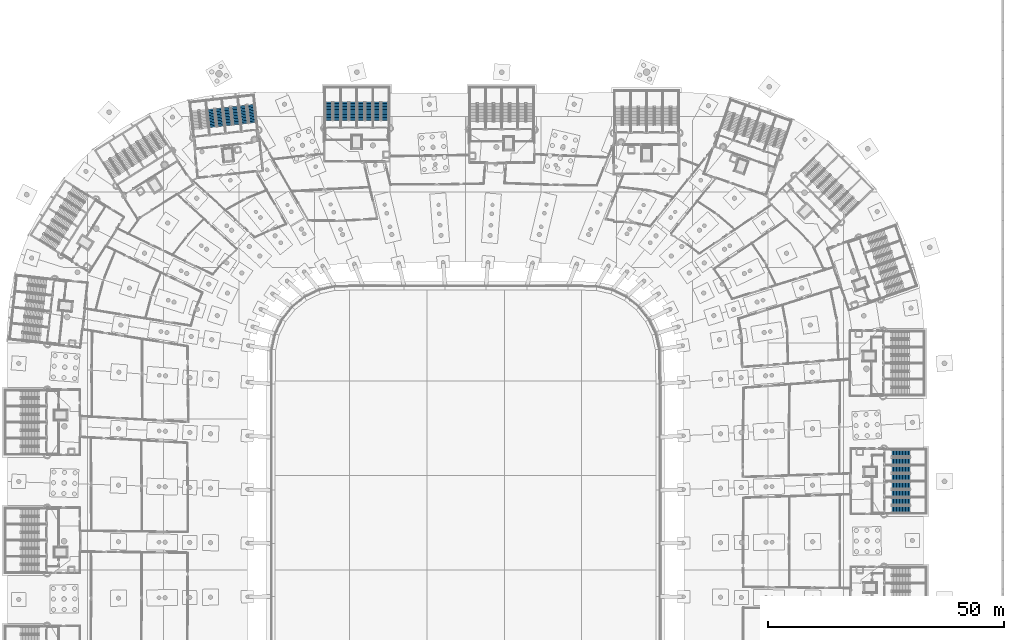
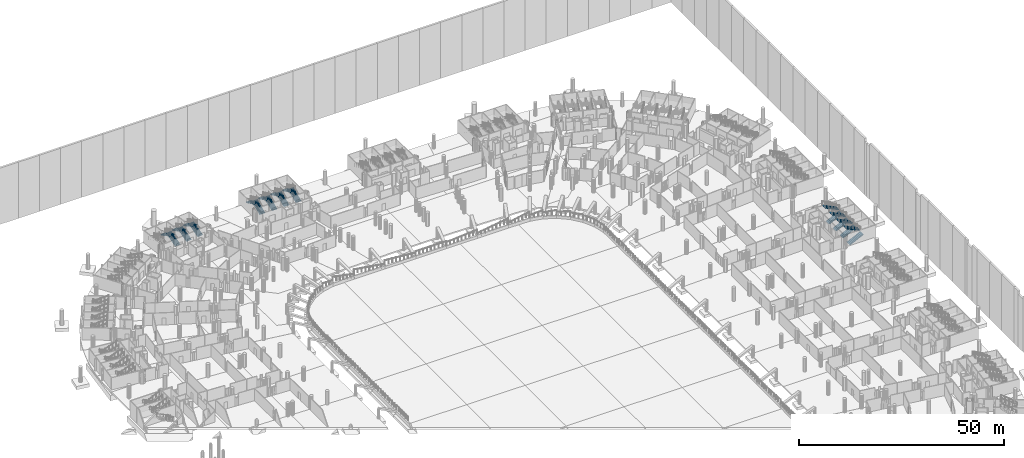
# One storey, part 105 of 142: 22 stair flights, 11 elements without a shape of their own.
"""IFC4 building model written with IfcOpenShell, lengths in metres."""

from ifc_helpers import new_model, si_unit, direction, frame, origin, place, context, subcontext, project, spatial, polyline, outline, extrude, material, type_object, element, aggregate, save


model = new_model("IFC4")

# Units and contexts
model_context = context("Model", 3, precision=1e-05, world=origin(), true_north=direction((0.0, 1.0)))
body_context = subcontext(model_context, "Body", "Model", "MODEL_VIEW")
ifc_project = project(units=[si_unit("LENGTHUNIT", "METRE"), si_unit("AREAUNIT", "SQUARE_METRE"), si_unit("VOLUMEUNIT", "CUBIC_METRE"), si_unit("PLANEANGLEUNIT", "RADIAN"), si_unit("MASSUNIT", "GRAM", prefix="KILO")], contexts=[model_context])

# Site, building, storey
site_placement = place(None, origin())
site = spatial("IfcSite", under=ifc_project, at=site_placement, CompositionType="ELEMENT")
building_placement = place(site_placement, origin())
building = spatial("IfcBuilding", under=site, at=building_placement, Name="Meseta Stadium", CompositionType="ELEMENT")
storey_placement = place(building_placement, frame((0.0, 0.0, -4.0)))
storey = spatial("IfcBuildingStorey", under=building, at=storey_placement, Name="B1", CompositionType="ELEMENT", Elevation=-4.0)

# Stair, stair flights
ifc_material_1 = material(Name="Concrete C40/50", Category="concrete")
stair_type = type_object("IfcStairType", Name="Exit stair 2 flights 154 mm risers", PredefinedType="HALF_TURN_STAIR", material=ifc_material_1)
stair_1_placement = place(storey_placement, origin())
stair_1 = element("IfcStair", 1, at=stair_1_placement, inside=storey, type_object=stair_type, Name="ST13 B1", PredefinedType="HALF_TURN_STAIR")
ifc_material_2 = material(Name="Concrete C40/50", Category="concrete")
stair_flight_type = type_object("IfcStairFlightType", Name="Exit stair flight 154 mm risers, 2 per storey", PredefinedType="STRAIGHT", material=ifc_material_2)
stair_flight_1_placement = place(storey_placement, frame((90.300048828125, 12.800048828125, 0.0), z_axis=(0.0, 0.0, 1.0), x_axis=(1.0, 0.0, 0.0)))
stair_flight_1 = element("IfcStairFlight", 2, at=stair_flight_1_placement, type_object=stair_flight_type, Name="ST13 B1 flight 1", NumberOfRisers=13, NumberOfTreads=12, PredefinedType="STRAIGHT", RiserHeight=0.153846154, TreadLength=0.32, context=body_context, shape_type="SweptSolid", body=[
    extrude(outline(polyline([(0.0, 0.0), (0.0, 0.15380859375), (0.320068359375, 0.15380859375), (0.320068359375, 0.3076171875), (0.639892578125, 0.3076171875), (0.639892578125, 0.46142578125), (0.9599609375, 0.46142578125), (0.9599609375, 0.615478515625), (1.280029296875, 0.615478515625), (1.280029296875, 0.769287109375), (1.60009765625, 0.769287109375), (1.60009765625, 0.923095703125), (1.919921875, 0.923095703125), (1.919921875, 1.076904296875), (2.239990234375, 1.076904296875), (2.239990234375, 1.230712890625), (2.56005859375, 1.230712890625), (2.56005859375, 1.384521484375), (2.8798828125, 1.384521484375), (2.8798828125, 1.53857421875), (3.199951171875, 1.53857421875), (3.199951171875, 1.6923828125), (3.52001953125, 1.6923828125), (3.52001953125, 1.84619140625), (3.840087890625, 1.84619140625), (3.840087890625, 1.679931640625), (0.345947265625, 0.0), (0.0, 0.0)])), frame((0.0, 0.75, 0.0), z_axis=(0.0, -1.0, 0.0), x_axis=(1.0, 0.0, 0.0)), (0.0, 0.0, 1.0), 1.5),
])
stair_flight_2_placement = place(storey_placement, frame((94.139892578125, 14.5, 2.0), z_axis=(0.0, 0.0, 1.0), x_axis=(-1.0, 0.0, 0.0)))
stair_flight_2 = element("IfcStairFlight", 3, at=stair_flight_2_placement, type_object=stair_flight_type, Name="ST13 B1 flight 2", NumberOfRisers=13, NumberOfTreads=12, PredefinedType="STRAIGHT", RiserHeight=0.153846154, TreadLength=0.32, context=body_context, shape_type="SweptSolid", body=[
    extrude(outline(polyline([(0.0, 0.0), (0.0, 0.15380859375), (0.320068359375, 0.15380859375), (0.320068359375, 0.3076171875), (0.639892578125, 0.3076171875), (0.639892578125, 0.46142578125), (0.9599609375, 0.46142578125), (0.9599609375, 0.615478515625), (1.280029296875, 0.615478515625), (1.280029296875, 0.769287109375), (1.60009765625, 0.769287109375), (1.60009765625, 0.923095703125), (1.919921875, 0.923095703125), (1.919921875, 1.076904296875), (2.239990234375, 1.076904296875), (2.239990234375, 1.230712890625), (2.56005859375, 1.230712890625), (2.56005859375, 1.384521484375), (2.8798828125, 1.384521484375), (2.8798828125, 1.53857421875), (3.199951171875, 1.53857421875), (3.199951171875, 1.6923828125), (3.52001953125, 1.6923828125), (3.52001953125, 1.84619140625), (3.840087890625, 1.84619140625), (3.840087890625, 1.679931640625), (0.345947265625, 0.0), (0.0, 0.0)])), frame((0.0, 0.75, 0.0), z_axis=(0.0, -1.0, 0.0), x_axis=(1.0, 0.0, 0.0)), (0.0, 0.0, 1.0), 1.5),
])
aggregate(stair_1, [stair_flight_1, stair_flight_2])

stair_2_placement = place(storey_placement, origin())
stair_2 = element("IfcStair", 4, at=stair_2_placement, inside=storey, type_object=stair_type, Name="ST14 B1", PredefinedType="HALF_TURN_STAIR")
stair_flight_3_placement = place(storey_placement, frame((90.300048828125, 16.199951171875, 0.0), z_axis=(0.0, 0.0, 1.0), x_axis=(1.0, 0.0, 0.0)))
stair_flight_3 = element("IfcStairFlight", 5, at=stair_flight_3_placement, type_object=stair_flight_type, Name="ST14 B1 flight 1", NumberOfRisers=13, NumberOfTreads=12, PredefinedType="STRAIGHT", RiserHeight=0.153846154, TreadLength=0.32, context=body_context, shape_type="SweptSolid", body=[
    extrude(outline(polyline([(0.0, 0.0), (0.0, 0.15380859375), (0.320068359375, 0.15380859375), (0.320068359375, 0.3076171875), (0.639892578125, 0.3076171875), (0.639892578125, 0.46142578125), (0.9599609375, 0.46142578125), (0.9599609375, 0.615478515625), (1.280029296875, 0.615478515625), (1.280029296875, 0.769287109375), (1.60009765625, 0.769287109375), (1.60009765625, 0.923095703125), (1.919921875, 0.923095703125), (1.919921875, 1.076904296875), (2.239990234375, 1.076904296875), (2.239990234375, 1.230712890625), (2.56005859375, 1.230712890625), (2.56005859375, 1.384521484375), (2.8798828125, 1.384521484375), (2.8798828125, 1.53857421875), (3.199951171875, 1.53857421875), (3.199951171875, 1.6923828125), (3.52001953125, 1.6923828125), (3.52001953125, 1.84619140625), (3.840087890625, 1.84619140625), (3.840087890625, 1.679931640625), (0.345947265625, 0.0), (0.0, 0.0)])), frame((0.0, 0.75, 0.0), z_axis=(0.0, -1.0, 0.0), x_axis=(1.0, 0.0, 0.0)), (0.0, 0.0, 1.0), 1.5),
])
stair_flight_4_placement = place(storey_placement, frame((94.139892578125, 17.89990234375, 2.0), z_axis=(0.0, 0.0, 1.0), x_axis=(-1.0, 0.0, 0.0)))
stair_flight_4 = element("IfcStairFlight", 6, at=stair_flight_4_placement, type_object=stair_flight_type, Name="ST14 B1 flight 2", NumberOfRisers=13, NumberOfTreads=12, PredefinedType="STRAIGHT", RiserHeight=0.153846154, TreadLength=0.32, context=body_context, shape_type="SweptSolid", body=[
    extrude(outline(polyline([(0.0, 0.0), (0.0, 0.15380859375), (0.320068359375, 0.15380859375), (0.320068359375, 0.3076171875), (0.639892578125, 0.3076171875), (0.639892578125, 0.46142578125), (0.9599609375, 0.46142578125), (0.9599609375, 0.615478515625), (1.280029296875, 0.615478515625), (1.280029296875, 0.769287109375), (1.60009765625, 0.769287109375), (1.60009765625, 0.923095703125), (1.919921875, 0.923095703125), (1.919921875, 1.076904296875), (2.239990234375, 1.076904296875), (2.239990234375, 1.230712890625), (2.56005859375, 1.230712890625), (2.56005859375, 1.384521484375), (2.8798828125, 1.384521484375), (2.8798828125, 1.53857421875), (3.199951171875, 1.53857421875), (3.199951171875, 1.6923828125), (3.52001953125, 1.6923828125), (3.52001953125, 1.84619140625), (3.840087890625, 1.84619140625), (3.840087890625, 1.679931640625), (0.345947265625, 0.0), (0.0, 0.0)])), frame((0.0, 0.75, 0.0), z_axis=(0.0, -1.0, 0.0), x_axis=(1.0, 0.0, 0.0)), (0.0, 0.0, 1.0), 1.5),
])
aggregate(stair_2, [stair_flight_3, stair_flight_4])

stair_3_placement = place(storey_placement, origin())
stair_3 = element("IfcStair", 7, at=stair_3_placement, inside=storey, type_object=stair_type, Name="ST15 B1", PredefinedType="HALF_TURN_STAIR")
stair_flight_5_placement = place(storey_placement, frame((90.300048828125, 19.60009765625, 0.0), z_axis=(0.0, 0.0, 1.0), x_axis=(1.0, 0.0, 0.0)))
stair_flight_5 = element("IfcStairFlight", 8, at=stair_flight_5_placement, type_object=stair_flight_type, Name="ST15 B1 flight 1", NumberOfRisers=13, NumberOfTreads=12, PredefinedType="STRAIGHT", RiserHeight=0.153846154, TreadLength=0.32, context=body_context, shape_type="SweptSolid", body=[
    extrude(outline(polyline([(0.0, 0.0), (0.0, 0.15380859375), (0.320068359375, 0.15380859375), (0.320068359375, 0.3076171875), (0.639892578125, 0.3076171875), (0.639892578125, 0.46142578125), (0.9599609375, 0.46142578125), (0.9599609375, 0.615478515625), (1.280029296875, 0.615478515625), (1.280029296875, 0.769287109375), (1.60009765625, 0.769287109375), (1.60009765625, 0.923095703125), (1.919921875, 0.923095703125), (1.919921875, 1.076904296875), (2.239990234375, 1.076904296875), (2.239990234375, 1.230712890625), (2.56005859375, 1.230712890625), (2.56005859375, 1.384521484375), (2.8798828125, 1.384521484375), (2.8798828125, 1.53857421875), (3.199951171875, 1.53857421875), (3.199951171875, 1.6923828125), (3.52001953125, 1.6923828125), (3.52001953125, 1.84619140625), (3.840087890625, 1.84619140625), (3.840087890625, 1.679931640625), (0.345947265625, 0.0), (0.0, 0.0)])), frame((0.0, 0.75, 0.0), z_axis=(0.0, -1.0, 0.0), x_axis=(1.0, 0.0, 0.0)), (0.0, 0.0, 1.0), 1.5),
])
stair_flight_6_placement = place(storey_placement, frame((94.139892578125, 21.300048828125, 2.0), z_axis=(0.0, 0.0, 1.0), x_axis=(-1.0, 0.0, 0.0)))
stair_flight_6 = element("IfcStairFlight", 9, at=stair_flight_6_placement, type_object=stair_flight_type, Name="ST15 B1 flight 2", NumberOfRisers=13, NumberOfTreads=12, PredefinedType="STRAIGHT", RiserHeight=0.153846154, TreadLength=0.32, context=body_context, shape_type="SweptSolid", body=[
    extrude(outline(polyline([(0.0, 0.0), (0.0, 0.15380859375), (0.320068359375, 0.15380859375), (0.320068359375, 0.3076171875), (0.639892578125, 0.3076171875), (0.639892578125, 0.46142578125), (0.9599609375, 0.46142578125), (0.9599609375, 0.615478515625), (1.280029296875, 0.615478515625), (1.280029296875, 0.769287109375), (1.60009765625, 0.769287109375), (1.60009765625, 0.923095703125), (1.919921875, 0.923095703125), (1.919921875, 1.076904296875), (2.239990234375, 1.076904296875), (2.239990234375, 1.230712890625), (2.56005859375, 1.230712890625), (2.56005859375, 1.384521484375), (2.8798828125, 1.384521484375), (2.8798828125, 1.53857421875), (3.199951171875, 1.53857421875), (3.199951171875, 1.6923828125), (3.52001953125, 1.6923828125), (3.52001953125, 1.84619140625), (3.840087890625, 1.84619140625), (3.840087890625, 1.679931640625), (0.345947265625, 0.0), (0.0, 0.0)])), frame((0.0, 0.75, 0.0), z_axis=(0.0, -1.0, 0.0), x_axis=(1.0, 0.0, 0.0)), (0.0, 0.0, 1.0), 1.5),
])
aggregate(stair_3, [stair_flight_5, stair_flight_6])

stair_4_placement = place(storey_placement, origin())
stair_4 = element("IfcStair", 10, at=stair_4_placement, inside=storey, type_object=stair_type, Name="ST16 B1", PredefinedType="HALF_TURN_STAIR")
stair_flight_7_placement = place(storey_placement, frame((90.300048828125, 23.0, 0.0), z_axis=(0.0, 0.0, 1.0), x_axis=(1.0, 0.0, 0.0)))
stair_flight_7 = element("IfcStairFlight", 11, at=stair_flight_7_placement, type_object=stair_flight_type, Name="ST16 B1 flight 1", NumberOfRisers=13, NumberOfTreads=12, PredefinedType="STRAIGHT", RiserHeight=0.153846154, TreadLength=0.32, context=body_context, shape_type="SweptSolid", body=[
    extrude(outline(polyline([(0.0, 0.0), (0.0, 0.15380859375), (0.320068359375, 0.15380859375), (0.320068359375, 0.3076171875), (0.639892578125, 0.3076171875), (0.639892578125, 0.46142578125), (0.9599609375, 0.46142578125), (0.9599609375, 0.615478515625), (1.280029296875, 0.615478515625), (1.280029296875, 0.769287109375), (1.60009765625, 0.769287109375), (1.60009765625, 0.923095703125), (1.919921875, 0.923095703125), (1.919921875, 1.076904296875), (2.239990234375, 1.076904296875), (2.239990234375, 1.230712890625), (2.56005859375, 1.230712890625), (2.56005859375, 1.384521484375), (2.8798828125, 1.384521484375), (2.8798828125, 1.53857421875), (3.199951171875, 1.53857421875), (3.199951171875, 1.6923828125), (3.52001953125, 1.6923828125), (3.52001953125, 1.84619140625), (3.840087890625, 1.84619140625), (3.840087890625, 1.679931640625), (0.345947265625, 0.0), (0.0, 0.0)])), frame((0.0, 0.75, 0.0), z_axis=(0.0, -1.0, 0.0), x_axis=(1.0, 0.0, 0.0)), (0.0, 0.0, 1.0), 1.5),
])
stair_flight_8_placement = place(storey_placement, frame((94.139892578125, 24.699951171875, 2.0), z_axis=(0.0, 0.0, 1.0), x_axis=(-1.0, 0.0, 0.0)))
stair_flight_8 = element("IfcStairFlight", 12, at=stair_flight_8_placement, type_object=stair_flight_type, Name="ST16 B1 flight 2", NumberOfRisers=13, NumberOfTreads=12, PredefinedType="STRAIGHT", RiserHeight=0.153846154, TreadLength=0.32, context=body_context, shape_type="SweptSolid", body=[
    extrude(outline(polyline([(0.0, 0.0), (0.0, 0.15380859375), (0.320068359375, 0.15380859375), (0.320068359375, 0.3076171875), (0.639892578125, 0.3076171875), (0.639892578125, 0.46142578125), (0.9599609375, 0.46142578125), (0.9599609375, 0.615478515625), (1.280029296875, 0.615478515625), (1.280029296875, 0.769287109375), (1.60009765625, 0.769287109375), (1.60009765625, 0.923095703125), (1.919921875, 0.923095703125), (1.919921875, 1.076904296875), (2.239990234375, 1.076904296875), (2.239990234375, 1.230712890625), (2.56005859375, 1.230712890625), (2.56005859375, 1.384521484375), (2.8798828125, 1.384521484375), (2.8798828125, 1.53857421875), (3.199951171875, 1.53857421875), (3.199951171875, 1.6923828125), (3.52001953125, 1.6923828125), (3.52001953125, 1.84619140625), (3.840087890625, 1.84619140625), (3.840087890625, 1.679931640625), (0.345947265625, 0.0), (0.0, 0.0)])), frame((0.0, 0.75, 0.0), z_axis=(0.0, -1.0, 0.0), x_axis=(1.0, 0.0, 0.0)), (0.0, 0.0, 1.0), 1.5),
])
aggregate(stair_4, [stair_flight_7, stair_flight_8])

stair_5_placement = place(storey_placement, origin())
stair_5 = element("IfcStair", 13, at=stair_5_placement, inside=storey, type_object=stair_type, Name="ST41 B1", PredefinedType="HALF_TURN_STAIR")
stair_flight_9_placement = place(storey_placement, frame((-17.050048828125, 95.199951171875, 0.0), z_axis=(0.0, 0.0, 1.0), x_axis=(0.0, 1.0, 0.0)))
stair_flight_9 = element("IfcStairFlight", 14, at=stair_flight_9_placement, type_object=stair_flight_type, Name="ST41 B1 flight 1", NumberOfRisers=13, NumberOfTreads=12, PredefinedType="STRAIGHT", RiserHeight=0.153846154, TreadLength=0.32, context=body_context, shape_type="SweptSolid", body=[
    extrude(outline(polyline([(0.0, 0.0), (0.0, 0.15380859375), (0.320068359375, 0.15380859375), (0.320068359375, 0.3076171875), (0.639892578125, 0.3076171875), (0.639892578125, 0.46142578125), (0.9599609375, 0.46142578125), (0.9599609375, 0.615478515625), (1.280029296875, 0.615478515625), (1.280029296875, 0.769287109375), (1.60009765625, 0.769287109375), (1.60009765625, 0.923095703125), (1.919921875, 0.923095703125), (1.919921875, 1.076904296875), (2.239990234375, 1.076904296875), (2.239990234375, 1.230712890625), (2.56005859375, 1.230712890625), (2.56005859375, 1.384521484375), (2.8798828125, 1.384521484375), (2.8798828125, 1.53857421875), (3.199951171875, 1.53857421875), (3.199951171875, 1.6923828125), (3.52001953125, 1.6923828125), (3.52001953125, 1.84619140625), (3.840087890625, 1.84619140625), (3.840087890625, 1.679931640625), (0.345947265625, 0.0), (0.0, 0.0)])), frame((0.0, 0.75, 0.0), z_axis=(0.0, -1.0, 0.0), x_axis=(1.0, 0.0, 0.0)), (0.0, 0.0, 1.0), 1.5),
])
stair_flight_10_placement = place(storey_placement, frame((-18.75, 99.0400390625, 2.0), z_axis=(0.0, 0.0, 1.0), x_axis=(0.0, -1.0, 0.0)))
stair_flight_10 = element("IfcStairFlight", 15, at=stair_flight_10_placement, type_object=stair_flight_type, Name="ST41 B1 flight 2", NumberOfRisers=13, NumberOfTreads=12, PredefinedType="STRAIGHT", RiserHeight=0.153846154, TreadLength=0.32, context=body_context, shape_type="SweptSolid", body=[
    extrude(outline(polyline([(0.0, 0.0), (0.0, 0.15380859375), (0.320068359375, 0.15380859375), (0.320068359375, 0.3076171875), (0.639892578125, 0.3076171875), (0.639892578125, 0.46142578125), (0.9599609375, 0.46142578125), (0.9599609375, 0.615478515625), (1.280029296875, 0.615478515625), (1.280029296875, 0.769287109375), (1.60009765625, 0.769287109375), (1.60009765625, 0.923095703125), (1.919921875, 0.923095703125), (1.919921875, 1.076904296875), (2.239990234375, 1.076904296875), (2.239990234375, 1.230712890625), (2.56005859375, 1.230712890625), (2.56005859375, 1.384521484375), (2.8798828125, 1.384521484375), (2.8798828125, 1.53857421875), (3.199951171875, 1.53857421875), (3.199951171875, 1.6923828125), (3.52001953125, 1.6923828125), (3.52001953125, 1.84619140625), (3.840087890625, 1.84619140625), (3.840087890625, 1.679931640625), (0.345947265625, 0.0), (0.0, 0.0)])), frame((0.0, 0.75, 0.0), z_axis=(0.0, -1.0, 0.0), x_axis=(1.0, 0.0, 0.0)), (0.0, 0.0, 1.0), 1.5),
])
aggregate(stair_5, [stair_flight_9, stair_flight_10])

stair_6_placement = place(storey_placement, origin())
stair_6 = element("IfcStair", 16, at=stair_6_placement, inside=storey, type_object=stair_type, Name="ST42 B1", PredefinedType="HALF_TURN_STAIR")
stair_flight_11_placement = place(storey_placement, frame((-20.449951171875, 95.199951171875, 0.0), z_axis=(0.0, 0.0, 1.0), x_axis=(0.0, 1.0, 0.0)))
stair_flight_11 = element("IfcStairFlight", 17, at=stair_flight_11_placement, type_object=stair_flight_type, Name="ST42 B1 flight 1", NumberOfRisers=13, NumberOfTreads=12, PredefinedType="STRAIGHT", RiserHeight=0.153846154, TreadLength=0.32, context=body_context, shape_type="SweptSolid", body=[
    extrude(outline(polyline([(0.0, 0.0), (0.0, 0.15380859375), (0.320068359375, 0.15380859375), (0.320068359375, 0.3076171875), (0.639892578125, 0.3076171875), (0.639892578125, 0.46142578125), (0.9599609375, 0.46142578125), (0.9599609375, 0.615478515625), (1.280029296875, 0.615478515625), (1.280029296875, 0.769287109375), (1.60009765625, 0.769287109375), (1.60009765625, 0.923095703125), (1.919921875, 0.923095703125), (1.919921875, 1.076904296875), (2.239990234375, 1.076904296875), (2.239990234375, 1.230712890625), (2.56005859375, 1.230712890625), (2.56005859375, 1.384521484375), (2.8798828125, 1.384521484375), (2.8798828125, 1.53857421875), (3.199951171875, 1.53857421875), (3.199951171875, 1.6923828125), (3.52001953125, 1.6923828125), (3.52001953125, 1.84619140625), (3.840087890625, 1.84619140625), (3.840087890625, 1.679931640625), (0.345947265625, 0.0), (0.0, 0.0)])), frame((0.0, 0.75, 0.0), z_axis=(0.0, -1.0, 0.0), x_axis=(1.0, 0.0, 0.0)), (0.0, 0.0, 1.0), 1.5),
])
stair_flight_12_placement = place(storey_placement, frame((-22.14990234375, 99.0400390625, 2.0), z_axis=(0.0, 0.0, 1.0), x_axis=(0.0, -1.0, 0.0)))
stair_flight_12 = element("IfcStairFlight", 18, at=stair_flight_12_placement, type_object=stair_flight_type, Name="ST42 B1 flight 2", NumberOfRisers=13, NumberOfTreads=12, PredefinedType="STRAIGHT", RiserHeight=0.153846154, TreadLength=0.32, context=body_context, shape_type="SweptSolid", body=[
    extrude(outline(polyline([(0.0, 0.0), (0.0, 0.15380859375), (0.320068359375, 0.15380859375), (0.320068359375, 0.3076171875), (0.639892578125, 0.3076171875), (0.639892578125, 0.46142578125), (0.9599609375, 0.46142578125), (0.9599609375, 0.615478515625), (1.280029296875, 0.615478515625), (1.280029296875, 0.769287109375), (1.60009765625, 0.769287109375), (1.60009765625, 0.923095703125), (1.919921875, 0.923095703125), (1.919921875, 1.076904296875), (2.239990234375, 1.076904296875), (2.239990234375, 1.230712890625), (2.56005859375, 1.230712890625), (2.56005859375, 1.384521484375), (2.8798828125, 1.384521484375), (2.8798828125, 1.53857421875), (3.199951171875, 1.53857421875), (3.199951171875, 1.6923828125), (3.52001953125, 1.6923828125), (3.52001953125, 1.84619140625), (3.840087890625, 1.84619140625), (3.840087890625, 1.679931640625), (0.345947265625, 0.0), (0.0, 0.0)])), frame((0.0, 0.75, 0.0), z_axis=(0.0, -1.0, 0.0), x_axis=(1.0, 0.0, 0.0)), (0.0, 0.0, 1.0), 1.5),
])
aggregate(stair_6, [stair_flight_11, stair_flight_12])

stair_7_placement = place(storey_placement, origin())
stair_7 = element("IfcStair", 19, at=stair_7_placement, inside=storey, type_object=stair_type, Name="ST43 B1", PredefinedType="HALF_TURN_STAIR")
stair_flight_13_placement = place(storey_placement, frame((-23.85009765625, 95.199951171875, 0.0), z_axis=(0.0, 0.0, 1.0), x_axis=(0.0, 1.0, 0.0)))
stair_flight_13 = element("IfcStairFlight", 20, at=stair_flight_13_placement, type_object=stair_flight_type, Name="ST43 B1 flight 1", NumberOfRisers=13, NumberOfTreads=12, PredefinedType="STRAIGHT", RiserHeight=0.153846154, TreadLength=0.32, context=body_context, shape_type="SweptSolid", body=[
    extrude(outline(polyline([(0.0, 0.0), (0.0, 0.15380859375), (0.320068359375, 0.15380859375), (0.320068359375, 0.3076171875), (0.639892578125, 0.3076171875), (0.639892578125, 0.46142578125), (0.9599609375, 0.46142578125), (0.9599609375, 0.615478515625), (1.280029296875, 0.615478515625), (1.280029296875, 0.769287109375), (1.60009765625, 0.769287109375), (1.60009765625, 0.923095703125), (1.919921875, 0.923095703125), (1.919921875, 1.076904296875), (2.239990234375, 1.076904296875), (2.239990234375, 1.230712890625), (2.56005859375, 1.230712890625), (2.56005859375, 1.384521484375), (2.8798828125, 1.384521484375), (2.8798828125, 1.53857421875), (3.199951171875, 1.53857421875), (3.199951171875, 1.6923828125), (3.52001953125, 1.6923828125), (3.52001953125, 1.84619140625), (3.840087890625, 1.84619140625), (3.840087890625, 1.679931640625), (0.345947265625, 0.0), (0.0, 0.0)])), frame((0.0, 0.75, 0.0), z_axis=(0.0, -1.0, 0.0), x_axis=(1.0, 0.0, 0.0)), (0.0, 0.0, 1.0), 1.5),
])
stair_flight_14_placement = place(storey_placement, frame((-25.550048828125, 99.0400390625, 2.0), z_axis=(0.0, 0.0, 1.0), x_axis=(0.0, -1.0, 0.0)))
stair_flight_14 = element("IfcStairFlight", 21, at=stair_flight_14_placement, type_object=stair_flight_type, Name="ST43 B1 flight 2", NumberOfRisers=13, NumberOfTreads=12, PredefinedType="STRAIGHT", RiserHeight=0.153846154, TreadLength=0.32, context=body_context, shape_type="SweptSolid", body=[
    extrude(outline(polyline([(0.0, 0.0), (0.0, 0.15380859375), (0.320068359375, 0.15380859375), (0.320068359375, 0.3076171875), (0.639892578125, 0.3076171875), (0.639892578125, 0.46142578125), (0.9599609375, 0.46142578125), (0.9599609375, 0.615478515625), (1.280029296875, 0.615478515625), (1.280029296875, 0.769287109375), (1.60009765625, 0.769287109375), (1.60009765625, 0.923095703125), (1.919921875, 0.923095703125), (1.919921875, 1.076904296875), (2.239990234375, 1.076904296875), (2.239990234375, 1.230712890625), (2.56005859375, 1.230712890625), (2.56005859375, 1.384521484375), (2.8798828125, 1.384521484375), (2.8798828125, 1.53857421875), (3.199951171875, 1.53857421875), (3.199951171875, 1.6923828125), (3.52001953125, 1.6923828125), (3.52001953125, 1.84619140625), (3.840087890625, 1.84619140625), (3.840087890625, 1.679931640625), (0.345947265625, 0.0), (0.0, 0.0)])), frame((0.0, 0.75, 0.0), z_axis=(0.0, -1.0, 0.0), x_axis=(1.0, 0.0, 0.0)), (0.0, 0.0, 1.0), 1.5),
])
aggregate(stair_7, [stair_flight_13, stair_flight_14])

stair_8_placement = place(storey_placement, origin())
stair_8 = element("IfcStair", 22, at=stair_8_placement, inside=storey, type_object=stair_type, Name="ST44 B1", PredefinedType="HALF_TURN_STAIR")
stair_flight_15_placement = place(storey_placement, frame((-27.25, 95.199951171875, 0.0), z_axis=(0.0, 0.0, 1.0), x_axis=(0.0, 1.0, 0.0)))
stair_flight_15 = element("IfcStairFlight", 23, at=stair_flight_15_placement, type_object=stair_flight_type, Name="ST44 B1 flight 1", NumberOfRisers=13, NumberOfTreads=12, PredefinedType="STRAIGHT", RiserHeight=0.153846154, TreadLength=0.32, context=body_context, shape_type="SweptSolid", body=[
    extrude(outline(polyline([(0.0, 0.0), (0.0, 0.15380859375), (0.320068359375, 0.15380859375), (0.320068359375, 0.3076171875), (0.639892578125, 0.3076171875), (0.639892578125, 0.46142578125), (0.9599609375, 0.46142578125), (0.9599609375, 0.615478515625), (1.280029296875, 0.615478515625), (1.280029296875, 0.769287109375), (1.60009765625, 0.769287109375), (1.60009765625, 0.923095703125), (1.919921875, 0.923095703125), (1.919921875, 1.076904296875), (2.239990234375, 1.076904296875), (2.239990234375, 1.230712890625), (2.56005859375, 1.230712890625), (2.56005859375, 1.384521484375), (2.8798828125, 1.384521484375), (2.8798828125, 1.53857421875), (3.199951171875, 1.53857421875), (3.199951171875, 1.6923828125), (3.52001953125, 1.6923828125), (3.52001953125, 1.84619140625), (3.840087890625, 1.84619140625), (3.840087890625, 1.679931640625), (0.345947265625, 0.0), (0.0, 0.0)])), frame((0.0, 0.75, 0.0), z_axis=(0.0, -1.0, 0.0), x_axis=(1.0, 0.0, 0.0)), (0.0, 0.0, 1.0), 1.5),
])
stair_flight_16_placement = place(storey_placement, frame((-28.949951171875, 99.0400390625, 2.0), z_axis=(0.0, 0.0, 1.0), x_axis=(0.0, -1.0, 0.0)))
stair_flight_16 = element("IfcStairFlight", 24, at=stair_flight_16_placement, type_object=stair_flight_type, Name="ST44 B1 flight 2", NumberOfRisers=13, NumberOfTreads=12, PredefinedType="STRAIGHT", RiserHeight=0.153846154, TreadLength=0.32, context=body_context, shape_type="SweptSolid", body=[
    extrude(outline(polyline([(0.0, 0.0), (0.0, 0.15380859375), (0.320068359375, 0.15380859375), (0.320068359375, 0.3076171875), (0.639892578125, 0.3076171875), (0.639892578125, 0.46142578125), (0.9599609375, 0.46142578125), (0.9599609375, 0.615478515625), (1.280029296875, 0.615478515625), (1.280029296875, 0.769287109375), (1.60009765625, 0.769287109375), (1.60009765625, 0.923095703125), (1.919921875, 0.923095703125), (1.919921875, 1.076904296875), (2.239990234375, 1.076904296875), (2.239990234375, 1.230712890625), (2.56005859375, 1.230712890625), (2.56005859375, 1.384521484375), (2.8798828125, 1.384521484375), (2.8798828125, 1.53857421875), (3.199951171875, 1.53857421875), (3.199951171875, 1.6923828125), (3.52001953125, 1.6923828125), (3.52001953125, 1.84619140625), (3.840087890625, 1.84619140625), (3.840087890625, 1.679931640625), (0.345947265625, 0.0), (0.0, 0.0)])), frame((0.0, 0.75, 0.0), z_axis=(0.0, -1.0, 0.0), x_axis=(1.0, 0.0, 0.0)), (0.0, 0.0, 1.0), 1.5),
])
aggregate(stair_8, [stair_flight_15, stair_flight_16])

stair_9_placement = place(storey_placement, origin())
stair_9 = element("IfcStair", 25, at=stair_9_placement, inside=storey, type_object=stair_type, Name="ST45 B1", PredefinedType="HALF_TURN_STAIR")
stair_flight_17_placement = place(storey_placement, frame((-45.04736328125, 94.687744140625, 0.0), z_axis=(0.0, 0.0, 1.0), x_axis=(-0.11196446867, 0.993712210731, 0.0)))
stair_flight_17 = element("IfcStairFlight", 26, at=stair_flight_17_placement, type_object=stair_flight_type, Name="ST45 B1 flight 1", NumberOfRisers=13, NumberOfTreads=12, PredefinedType="STRAIGHT", RiserHeight=0.153846154, TreadLength=0.32, context=body_context, shape_type="SweptSolid", body=[
    extrude(outline(polyline([(0.0, 0.0), (0.0, 0.15380859375), (0.320068359375, 0.15380859375), (0.320068359375, 0.3076171875), (0.639892578125, 0.3076171875), (0.639892578125, 0.46142578125), (0.9599609375, 0.46142578125), (0.9599609375, 0.615478515625), (1.280029296875, 0.615478515625), (1.280029296875, 0.769287109375), (1.60009765625, 0.769287109375), (1.60009765625, 0.923095703125), (1.919921875, 0.923095703125), (1.919921875, 1.076904296875), (2.239990234375, 1.076904296875), (2.239990234375, 1.230712890625), (2.56005859375, 1.230712890625), (2.56005859375, 1.384521484375), (2.8798828125, 1.384521484375), (2.8798828125, 1.53857421875), (3.199951171875, 1.53857421875), (3.199951171875, 1.6923828125), (3.52001953125, 1.6923828125), (3.52001953125, 1.84619140625), (3.840087890625, 1.84619140625), (3.840087890625, 1.679931640625), (0.345947265625, 0.0), (0.0, 0.0)])), frame((0.0, 0.75, 0.0), z_axis=(0.0, -1.0, 0.0), x_axis=(1.0, 0.0, 0.0)), (0.0, 0.0, 1.0), 1.5),
])
stair_flight_18_placement = place(storey_placement, frame((-47.166748046875, 98.313232421875, 2.0), z_axis=(0.0, 0.0, 1.0), x_axis=(0.11196446867, -0.993712210731, 0.0)))
stair_flight_18 = element("IfcStairFlight", 27, at=stair_flight_18_placement, type_object=stair_flight_type, Name="ST45 B1 flight 2", NumberOfRisers=13, NumberOfTreads=12, PredefinedType="STRAIGHT", RiserHeight=0.153846154, TreadLength=0.32, context=body_context, shape_type="SweptSolid", body=[
    extrude(outline(polyline([(0.0, 0.0), (0.0, 0.15380859375), (0.320068359375, 0.15380859375), (0.320068359375, 0.3076171875), (0.639892578125, 0.3076171875), (0.639892578125, 0.46142578125), (0.9599609375, 0.46142578125), (0.9599609375, 0.615478515625), (1.280029296875, 0.615478515625), (1.280029296875, 0.769287109375), (1.60009765625, 0.769287109375), (1.60009765625, 0.923095703125), (1.919921875, 0.923095703125), (1.919921875, 1.076904296875), (2.239990234375, 1.076904296875), (2.239990234375, 1.230712890625), (2.56005859375, 1.230712890625), (2.56005859375, 1.384521484375), (2.8798828125, 1.384521484375), (2.8798828125, 1.53857421875), (3.199951171875, 1.53857421875), (3.199951171875, 1.6923828125), (3.52001953125, 1.6923828125), (3.52001953125, 1.84619140625), (3.840087890625, 1.84619140625), (3.840087890625, 1.679931640625), (0.345947265625, 0.0), (0.0, 0.0)])), frame((0.0, 0.75, 0.0), z_axis=(0.0, -1.0, 0.0), x_axis=(1.0, 0.0, 0.0)), (0.0, 0.0, 1.0), 1.5),
])
aggregate(stair_9, [stair_flight_17, stair_flight_18])

stair_10_placement = place(storey_placement, origin())
stair_10 = element("IfcStair", 28, at=stair_10_placement, inside=storey, type_object=stair_type, Name="ST46 B1", PredefinedType="HALF_TURN_STAIR")
stair_flight_19_placement = place(storey_placement, frame((-48.426025390625, 94.306884765625, 0.0), z_axis=(0.0, 0.0, 1.0), x_axis=(-0.11196446867, 0.993712210731, 0.0)))
stair_flight_19 = element("IfcStairFlight", 29, at=stair_flight_19_placement, type_object=stair_flight_type, Name="ST46 B1 flight 1", NumberOfRisers=13, NumberOfTreads=12, PredefinedType="STRAIGHT", RiserHeight=0.153846154, TreadLength=0.32, context=body_context, shape_type="SweptSolid", body=[
    extrude(outline(polyline([(0.0, 0.0), (0.0, 0.15380859375), (0.320068359375, 0.15380859375), (0.320068359375, 0.3076171875), (0.639892578125, 0.3076171875), (0.639892578125, 0.46142578125), (0.9599609375, 0.46142578125), (0.9599609375, 0.615478515625), (1.280029296875, 0.615478515625), (1.280029296875, 0.769287109375), (1.60009765625, 0.769287109375), (1.60009765625, 0.923095703125), (1.919921875, 0.923095703125), (1.919921875, 1.076904296875), (2.239990234375, 1.076904296875), (2.239990234375, 1.230712890625), (2.56005859375, 1.230712890625), (2.56005859375, 1.384521484375), (2.8798828125, 1.384521484375), (2.8798828125, 1.53857421875), (3.199951171875, 1.53857421875), (3.199951171875, 1.6923828125), (3.52001953125, 1.6923828125), (3.52001953125, 1.84619140625), (3.840087890625, 1.84619140625), (3.840087890625, 1.679931640625), (0.345947265625, 0.0), (0.0, 0.0)])), frame((0.0, 0.75, 0.0), z_axis=(0.0, -1.0, 0.0), x_axis=(1.0, 0.0, 0.0)), (0.0, 0.0, 1.0), 1.5),
])
stair_flight_20_placement = place(storey_placement, frame((-50.54541015625, 97.932373046875, 2.0), z_axis=(0.0, 0.0, 1.0), x_axis=(0.11196446867, -0.993712210731, 0.0)))
stair_flight_20 = element("IfcStairFlight", 30, at=stair_flight_20_placement, type_object=stair_flight_type, Name="ST46 B1 flight 2", NumberOfRisers=13, NumberOfTreads=12, PredefinedType="STRAIGHT", RiserHeight=0.153846154, TreadLength=0.32, context=body_context, shape_type="SweptSolid", body=[
    extrude(outline(polyline([(0.0, 0.0), (0.0, 0.15380859375), (0.320068359375, 0.15380859375), (0.320068359375, 0.3076171875), (0.639892578125, 0.3076171875), (0.639892578125, 0.46142578125), (0.9599609375, 0.46142578125), (0.9599609375, 0.615478515625), (1.280029296875, 0.615478515625), (1.280029296875, 0.769287109375), (1.60009765625, 0.769287109375), (1.60009765625, 0.923095703125), (1.919921875, 0.923095703125), (1.919921875, 1.076904296875), (2.239990234375, 1.076904296875), (2.239990234375, 1.230712890625), (2.56005859375, 1.230712890625), (2.56005859375, 1.384521484375), (2.8798828125, 1.384521484375), (2.8798828125, 1.53857421875), (3.199951171875, 1.53857421875), (3.199951171875, 1.6923828125), (3.52001953125, 1.6923828125), (3.52001953125, 1.84619140625), (3.840087890625, 1.84619140625), (3.840087890625, 1.679931640625), (0.345947265625, 0.0), (0.0, 0.0)])), frame((0.0, 0.75, 0.0), z_axis=(0.0, -1.0, 0.0), x_axis=(1.0, 0.0, 0.0)), (0.0, 0.0, 1.0), 1.5),
])
aggregate(stair_10, [stair_flight_19, stair_flight_20])

stair_11_placement = place(storey_placement, origin())
stair_11 = element("IfcStair", 31, at=stair_11_placement, inside=storey, type_object=stair_type, Name="ST47 B1", PredefinedType="HALF_TURN_STAIR")
stair_flight_21_placement = place(storey_placement, frame((-51.8046875, 93.92626953125, 0.0), z_axis=(0.0, 0.0, 1.0), x_axis=(-0.11196446867, 0.993712210731, 0.0)))
stair_flight_21 = element("IfcStairFlight", 32, at=stair_flight_21_placement, type_object=stair_flight_type, Name="ST47 B1 flight 1", NumberOfRisers=13, NumberOfTreads=12, PredefinedType="STRAIGHT", RiserHeight=0.153846154, TreadLength=0.32, context=body_context, shape_type="SweptSolid", body=[
    extrude(outline(polyline([(0.0, 0.0), (0.0, 0.15380859375), (0.320068359375, 0.15380859375), (0.320068359375, 0.3076171875), (0.639892578125, 0.3076171875), (0.639892578125, 0.46142578125), (0.9599609375, 0.46142578125), (0.9599609375, 0.615478515625), (1.280029296875, 0.615478515625), (1.280029296875, 0.769287109375), (1.60009765625, 0.769287109375), (1.60009765625, 0.923095703125), (1.919921875, 0.923095703125), (1.919921875, 1.076904296875), (2.239990234375, 1.076904296875), (2.239990234375, 1.230712890625), (2.56005859375, 1.230712890625), (2.56005859375, 1.384521484375), (2.8798828125, 1.384521484375), (2.8798828125, 1.53857421875), (3.199951171875, 1.53857421875), (3.199951171875, 1.6923828125), (3.52001953125, 1.6923828125), (3.52001953125, 1.84619140625), (3.840087890625, 1.84619140625), (3.840087890625, 1.679931640625), (0.345947265625, 0.0), (0.0, 0.0)])), frame((0.0, 0.75, 0.0), z_axis=(0.0, -1.0, 0.0), x_axis=(1.0, 0.0, 0.0)), (0.0, 0.0, 1.0), 1.5),
])
stair_flight_22_placement = place(storey_placement, frame((-53.923828125, 97.5517578125, 2.0), z_axis=(0.0, 0.0, 1.0), x_axis=(0.11196446867, -0.993712210731, 0.0)))
stair_flight_22 = element("IfcStairFlight", 33, at=stair_flight_22_placement, type_object=stair_flight_type, Name="ST47 B1 flight 2", NumberOfRisers=13, NumberOfTreads=12, PredefinedType="STRAIGHT", RiserHeight=0.153846154, TreadLength=0.32, context=body_context, shape_type="SweptSolid", body=[
    extrude(outline(polyline([(0.0, 0.0), (0.0, 0.15380859375), (0.320068359375, 0.15380859375), (0.320068359375, 0.3076171875), (0.639892578125, 0.3076171875), (0.639892578125, 0.46142578125), (0.9599609375, 0.46142578125), (0.9599609375, 0.615478515625), (1.280029296875, 0.615478515625), (1.280029296875, 0.769287109375), (1.60009765625, 0.769287109375), (1.60009765625, 0.923095703125), (1.919921875, 0.923095703125), (1.919921875, 1.076904296875), (2.239990234375, 1.076904296875), (2.239990234375, 1.230712890625), (2.56005859375, 1.230712890625), (2.56005859375, 1.384521484375), (2.8798828125, 1.384521484375), (2.8798828125, 1.53857421875), (3.199951171875, 1.53857421875), (3.199951171875, 1.6923828125), (3.52001953125, 1.6923828125), (3.52001953125, 1.84619140625), (3.840087890625, 1.84619140625), (3.840087890625, 1.679931640625), (0.345947265625, 0.0), (0.0, 0.0)])), frame((0.0, 0.75, 0.0), z_axis=(0.0, -1.0, 0.0), x_axis=(1.0, 0.0, 0.0)), (0.0, 0.0, 1.0), 1.5),
])
aggregate(stair_11, [stair_flight_21, stair_flight_22])

save(model, "model.ifc")
